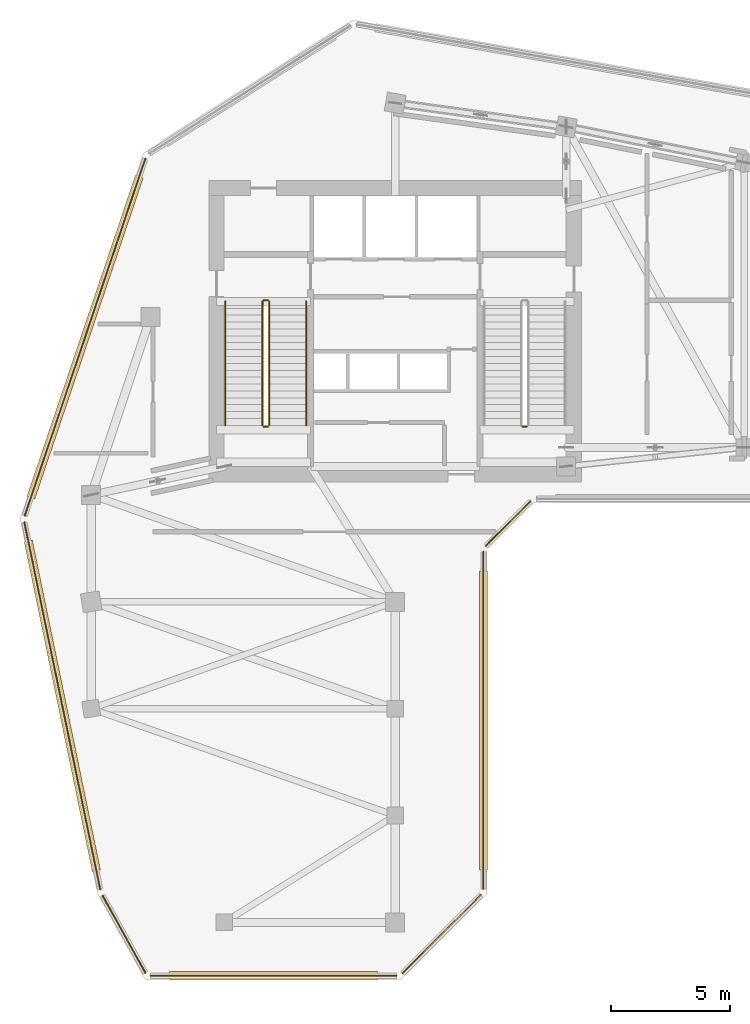
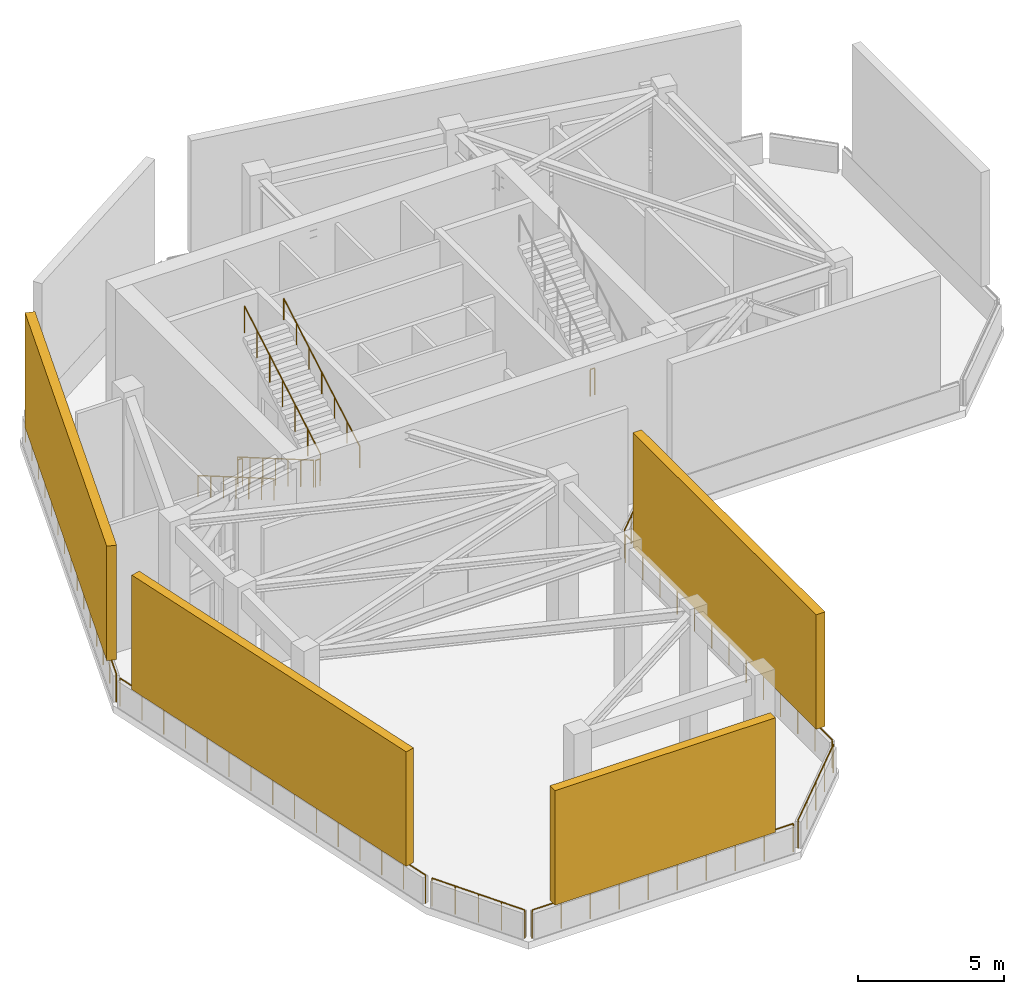
# One storey, part 8 of 10: 14 railings, 4 shading devices.
"""IFC4 building model written with IfcOpenShell, lengths in metres."""

from ifc_helpers import new_model, si_unit, direction, frame, frame_2d, origin, origin_2d, place, context, subcontext, project, spatial, rectangle, circle, extrude, material, type_object, element, save


model = new_model("IFC4")

# Units and contexts
model_context = context("Model", 3, precision=1e-05, world=origin(), true_north=direction((0.0, 1.0)))
body_context = subcontext(model_context, "Body", "Model", "MODEL_VIEW")
ifc_project = project(units=[si_unit("LENGTHUNIT", "METRE"), si_unit("AREAUNIT", "SQUARE_METRE"), si_unit("VOLUMEUNIT", "CUBIC_METRE"), si_unit("PLANEANGLEUNIT", "RADIAN"), si_unit("MASSUNIT", "GRAM", prefix="KILO")], contexts=[model_context])

# Site, building, storey
site_placement = place(None, origin())
site = spatial("IfcSite", under=ifc_project, at=site_placement, CompositionType="ELEMENT")
building_placement = place(site_placement, origin())
building = spatial("IfcBuilding", under=site, at=building_placement, Name="Calvemar Wedge Station Tower", CompositionType="ELEMENT")
storey_placement = place(building_placement, frame((0.0, 0.0, 242.89990234375)))
storey = spatial("IfcBuildingStorey", under=building, at=storey_placement, Name="L62", CompositionType="ELEMENT", Elevation=242.89990234375)

# Railings
ifc_material_1 = material(Name="Stainless steel AISI 316L", Category="steel")
railing_type_1 = type_object("IfcRailingType", Name="GRD-WIND-1200", PredefinedType="GUARDRAIL", material=ifc_material_1)
railing_1_placement = place(storey_placement, frame((11.47900390625, 16.12158203125, 0.0)))
element("IfcRailing", 1, at=railing_1_placement, inside=storey, type_object=railing_type_1, Name="Wind Floor L62 Perimeter Safety Guard 1", PredefinedType="GUARDRAIL", context=body_context, shape_type="SweptSolid", body=[
    extrude(circle(Radius=0.02392578125, at=origin_2d()), frame((0.0, 0.0, 1.17578125), z_axis=(0.48564852302, -0.87415416952, 0.0), x_axis=(0.87415416952, 0.48564852302, 0.0)), (0.0, 0.0, 1.0), 3.70703125),
    extrude(circle(Radius=0.02099609375, at=origin_2d()), origin(), (0.0, 0.0, 1.0), 1.15185546875),
    extrude(circle(Radius=0.02099609375, at=origin_2d()), frame((0.4501953125, -0.81005859375, 0.0)), (0.0, 0.0, 1.0), 1.15185546875),
    extrude(circle(Radius=0.02099609375, at=origin_2d()), frame((0.900146484375, -1.6201171875, 0.0)), (0.0, 0.0, 1.0), 1.15185546875),
    extrude(circle(Radius=0.02099609375, at=origin_2d()), frame((1.35009765625, -2.430419921875, 0.0)), (0.0, 0.0, 1.0), 1.15185546875),
    extrude(circle(Radius=0.02099609375, at=origin_2d()), frame((1.80029296875, -3.240478515625, 0.0)), (0.0, 0.0, 1.0), 1.15185546875),
])
railing_2_placement = place(storey_placement, frame((13.502197265625, 12.75, 0.0)))
element("IfcRailing", 2, at=railing_2_placement, inside=storey, type_object=railing_type_1, Name="Wind Floor L62 Perimeter Safety Guard 2", PredefinedType="GUARDRAIL", context=body_context, shape_type="SweptSolid", body=[
    extrude(circle(Radius=0.02392578125, at=origin_2d()), frame((0.0, 0.0, 1.17578125), z_axis=(1.0, 0.0, 0.0), x_axis=(0.0, 1.0, 0.0)), (0.0, 0.0, 1.0), 10.349609375),
    extrude(circle(Radius=0.02099609375, at=origin_2d()), origin(), (0.0, 0.0, 1.0), 1.15185546875),
    extrude(circle(Radius=0.02099609375, at=origin_2d()), frame((1.14990234375, 0.0, 0.0)), (0.0, 0.0, 1.0), 1.15185546875),
    extrude(circle(Radius=0.02099609375, at=origin_2d()), frame((2.2998046875, 0.0, 0.0)), (0.0, 0.0, 1.0), 1.15185546875),
    extrude(circle(Radius=0.02099609375, at=origin_2d()), frame((3.449951171875, 0.0, 0.0)), (0.0, 0.0, 1.0), 1.15185546875),
    extrude(circle(Radius=0.02099609375, at=origin_2d()), frame((4.599853515625, 0.0, 0.0)), (0.0, 0.0, 1.0), 1.15185546875),
    extrude(circle(Radius=0.02099609375, at=origin_2d()), frame((5.749755859375, 0.0, 0.0)), (0.0, 0.0, 1.0), 1.15185546875),
    extrude(circle(Radius=0.02099609375, at=origin_2d()), frame((6.899658203125, 0.0, 0.0)), (0.0, 0.0, 1.0), 1.15185546875),
    extrude(circle(Radius=0.02099609375, at=origin_2d()), frame((8.0498046875, 0.0, 0.0)), (0.0, 0.0, 1.0), 1.15185546875),
    extrude(circle(Radius=0.02099609375, at=origin_2d()), frame((9.19970703125, 0.0, 0.0)), (0.0, 0.0, 1.0), 1.15185546875),
    extrude(circle(Radius=0.02099609375, at=origin_2d()), frame((10.349609375, 0.0, 0.0)), (0.0, 0.0, 1.0), 1.15185546875),
])
railing_3_placement = place(storey_placement, frame((24.10791015625, 12.856201171875, 0.0)))
element("IfcRailing", 3, at=railing_3_placement, inside=storey, type_object=railing_type_1, Name="Wind Floor L62 Perimeter Safety Guard 3", PredefinedType="GUARDRAIL", context=body_context, shape_type="SweptSolid", body=[
    extrude(circle(Radius=0.02392578125, at=origin_2d()), frame((0.0, 0.0, 1.17578125), z_axis=(0.707132937873, 0.707080623533, 0.0), x_axis=(-0.707080623533, 0.707132937873, 0.0)), (0.0, 0.0, 1.0), 4.666748046875),
    extrude(circle(Radius=0.02099609375, at=origin_2d()), origin(), (0.0, 0.0, 1.0), 1.15185546875),
    extrude(circle(Radius=0.02099609375, at=origin_2d()), frame((0.824951171875, 0.824951171875, 0.0)), (0.0, 0.0, 1.0), 1.15185546875),
    extrude(circle(Radius=0.02099609375, at=origin_2d()), frame((1.64990234375, 1.64990234375, 0.0)), (0.0, 0.0, 1.0), 1.15185546875),
    extrude(circle(Radius=0.02099609375, at=origin_2d()), frame((2.47509765625, 2.474853515625, 0.0)), (0.0, 0.0, 1.0), 1.15185546875),
    extrude(circle(Radius=0.02099609375, at=origin_2d()), frame((3.300048828125, 3.2998046875, 0.0)), (0.0, 0.0, 1.0), 1.15185546875),
])
railing_4_placement = place(storey_placement, frame((27.513916015625, 16.412109375, 0.0)))
element("IfcRailing", 4, at=railing_4_placement, inside=storey, type_object=railing_type_1, Name="Wind Floor L62 Perimeter Safety Guard 4", PredefinedType="GUARDRAIL", context=body_context, shape_type="SweptSolid", body=[
    extrude(circle(Radius=0.02392578125, at=origin_2d()), frame((0.0, 0.0, 1.17578125), z_axis=(0.0, 1.0, 0.0), x_axis=(-1.0, 0.0, 0.0)), (0.0, 0.0, 1.0), 14.19189453125),
    extrude(circle(Radius=0.02099609375, at=origin_2d()), origin(), (0.0, 0.0, 1.0), 1.15185546875),
    extrude(circle(Radius=0.02099609375, at=origin_2d()), frame((0.0, 1.1826171875, 0.0)), (0.0, 0.0, 1.0), 1.15185546875),
    extrude(circle(Radius=0.02099609375, at=origin_2d()), frame((0.0, 2.365234375, 0.0)), (0.0, 0.0, 1.0), 1.15185546875),
    extrude(circle(Radius=0.02099609375, at=origin_2d()), frame((0.0, 3.5478515625, 0.0)), (0.0, 0.0, 1.0), 1.15185546875),
    extrude(circle(Radius=0.02099609375, at=origin_2d()), frame((0.0, 4.730712890625, 0.0)), (0.0, 0.0, 1.0), 1.15185546875),
    extrude(circle(Radius=0.02099609375, at=origin_2d()), frame((0.0, 5.913330078125, 0.0)), (0.0, 0.0, 1.0), 1.15185546875),
    extrude(circle(Radius=0.02099609375, at=origin_2d()), frame((0.0, 7.095947265625, 0.0)), (0.0, 0.0, 1.0), 1.15185546875),
    extrude(circle(Radius=0.02099609375, at=origin_2d()), frame((0.0, 8.278564453125, 0.0)), (0.0, 0.0, 1.0), 1.15185546875),
    extrude(circle(Radius=0.02099609375, at=origin_2d()), frame((0.0, 9.461181640625, 0.0)), (0.0, 0.0, 1.0), 1.15185546875),
    extrude(circle(Radius=0.02099609375, at=origin_2d()), frame((0.0, 10.64404296875, 0.0)), (0.0, 0.0, 1.0), 1.15185546875),
    extrude(circle(Radius=0.02099609375, at=origin_2d()), frame((0.0, 11.82666015625, 0.0)), (0.0, 0.0, 1.0), 1.15185546875),
    extrude(circle(Radius=0.02099609375, at=origin_2d()), frame((0.0, 13.00927734375, 0.0)), (0.0, 0.0, 1.0), 1.15185546875),
    extrude(circle(Radius=0.02099609375, at=origin_2d()), frame((0.0, 14.19189453125, 0.0)), (0.0, 0.0, 1.0), 1.15185546875),
])
railing_5_placement = place(storey_placement, frame((27.6201171875, 30.860107421875, 0.0)))
element("IfcRailing", 5, at=railing_5_placement, inside=storey, type_object=railing_type_1, Name="Wind Floor L62 Perimeter Safety Guard 5", PredefinedType="GUARDRAIL", context=body_context, shape_type="SweptSolid", body=[
    extrude(circle(Radius=0.02392578125, at=origin_2d()), frame((0.0, 0.0, 1.17578125), z_axis=(0.707106781187, 0.707106781187, 0.0), x_axis=(-0.707106781187, 0.707106781187, 0.0)), (0.0, 0.0, 1.0), 2.652587890625),
    extrude(circle(Radius=0.02099609375, at=origin_2d()), origin(), (0.0, 0.0, 1.0), 1.15185546875),
    extrude(circle(Radius=0.02099609375, at=origin_2d()), frame((0.625244140625, 0.625244140625, 0.0)), (0.0, 0.0, 1.0), 1.15185546875),
    extrude(circle(Radius=0.02099609375, at=origin_2d()), frame((1.25048828125, 1.25048828125, 0.0)), (0.0, 0.0, 1.0), 1.15185546875),
    extrude(circle(Radius=0.02099609375, at=origin_2d()), frame((1.875732421875, 1.875732421875, 0.0)), (0.0, 0.0, 1.0), 1.15185546875),
])
railing_6_placement = place(storey_placement, frame((13.277099609375, 47.15966796875, 0.0)))
element("IfcRailing", 6, at=railing_6_placement, inside=storey, type_object=railing_type_1, Name="Wind Floor L62 Perimeter Safety Guard 12", PredefinedType="GUARDRAIL", context=body_context, shape_type="SweptSolid", body=[
    extrude(circle(Radius=0.02392578125, at=origin_2d()), frame((0.0, 0.0, 1.17578125), z_axis=(-0.319910438234, -0.947447788276, 0.0), x_axis=(0.947447788276, -0.319910438234, 0.0)), (0.0, 0.0, 1.0), 15.860595703125),
    extrude(circle(Radius=0.02099609375, at=origin_2d()), origin(), (0.0, 0.0, 1.0), 1.15185546875),
    extrude(circle(Radius=0.02099609375, at=origin_2d()), frame((-0.3623046875, -1.0732421875, 0.0)), (0.0, 0.0, 1.0), 1.15185546875),
    extrude(circle(Radius=0.02099609375, at=origin_2d()), frame((-0.724853515625, -2.146728515625, 0.0)), (0.0, 0.0, 1.0), 1.15185546875),
    extrude(circle(Radius=0.02099609375, at=origin_2d()), frame((-1.08740234375, -3.22021484375, 0.0)), (0.0, 0.0, 1.0), 1.15185546875),
    extrude(circle(Radius=0.02099609375, at=origin_2d()), frame((-1.44970703125, -4.29345703125, 0.0)), (0.0, 0.0, 1.0), 1.15185546875),
    extrude(circle(Radius=0.02099609375, at=origin_2d()), frame((-1.81201171875, -5.36669921875, 0.0)), (0.0, 0.0, 1.0), 1.15185546875),
    extrude(circle(Radius=0.02099609375, at=origin_2d()), frame((-2.174560546875, -6.440185546875, 0.0)), (0.0, 0.0, 1.0), 1.15185546875),
    extrude(circle(Radius=0.02099609375, at=origin_2d()), frame((-2.537109375, -7.513671875, 0.0)), (0.0, 0.0, 1.0), 1.15185546875),
    extrude(circle(Radius=0.02099609375, at=origin_2d()), frame((-2.8994140625, -8.5869140625, 0.0)), (0.0, 0.0, 1.0), 1.15185546875),
    extrude(circle(Radius=0.02099609375, at=origin_2d()), frame((-3.261962890625, -9.66015625, 0.0)), (0.0, 0.0, 1.0), 1.15185546875),
    extrude(circle(Radius=0.02099609375, at=origin_2d()), frame((-3.624267578125, -10.733642578125, 0.0)), (0.0, 0.0, 1.0), 1.15185546875),
    extrude(circle(Radius=0.02099609375, at=origin_2d()), frame((-3.98681640625, -11.80712890625, 0.0)), (0.0, 0.0, 1.0), 1.15185546875),
    extrude(circle(Radius=0.02099609375, at=origin_2d()), frame((-4.34912109375, -12.88037109375, 0.0)), (0.0, 0.0, 1.0), 1.15185546875),
    extrude(circle(Radius=0.02099609375, at=origin_2d()), frame((-4.71142578125, -13.95361328125, 0.0)), (0.0, 0.0, 1.0), 1.15185546875),
    extrude(circle(Radius=0.02099609375, at=origin_2d()), frame((-5.073974609375, -15.027099609375, 0.0)), (0.0, 0.0, 1.0), 1.15185546875),
])
railing_7_placement = place(storey_placement, frame((8.185546875, 31.843505859375, 0.0)))
element("IfcRailing", 7, at=railing_7_placement, inside=storey, type_object=railing_type_1, Name="Wind Floor L62 Perimeter Safety Guard 13", PredefinedType="GUARDRAIL", context=body_context, shape_type="SweptSolid", body=[
    extrude(circle(Radius=0.02392578125, at=origin_2d()), frame((0.0, 0.0, 1.17578125), z_axis=(0.202310724798, -0.979321382709, 0.0), x_axis=(0.979321382709, 0.202310724798, 0.0)), (0.0, 0.0, 1.0), 15.77001953125),
    extrude(circle(Radius=0.02099609375, at=origin_2d()), origin(), (0.0, 0.0, 1.0), 1.15185546875),
    extrude(circle(Radius=0.02099609375, at=origin_2d()), frame((0.227783203125, -1.10302734375, 0.0)), (0.0, 0.0, 1.0), 1.15185546875),
    extrude(circle(Radius=0.02099609375, at=origin_2d()), frame((0.455810546875, -2.206298828125, 0.0)), (0.0, 0.0, 1.0), 1.15185546875),
    extrude(circle(Radius=0.02099609375, at=origin_2d()), frame((0.68359375, -3.309326171875, 0.0)), (0.0, 0.0, 1.0), 1.15185546875),
    extrude(circle(Radius=0.02099609375, at=origin_2d()), frame((0.91162109375, -4.41259765625, 0.0)), (0.0, 0.0, 1.0), 1.15185546875),
    extrude(circle(Radius=0.02099609375, at=origin_2d()), frame((1.139404296875, -5.515625, 0.0)), (0.0, 0.0, 1.0), 1.15185546875),
    extrude(circle(Radius=0.02099609375, at=origin_2d()), frame((1.367431640625, -6.618896484375, 0.0)), (0.0, 0.0, 1.0), 1.15185546875),
    extrude(circle(Radius=0.02099609375, at=origin_2d()), frame((1.59521484375, -7.721923828125, 0.0)), (0.0, 0.0, 1.0), 1.15185546875),
    extrude(circle(Radius=0.02099609375, at=origin_2d()), frame((1.822998046875, -8.824951171875, 0.0)), (0.0, 0.0, 1.0), 1.15185546875),
    extrude(circle(Radius=0.02099609375, at=origin_2d()), frame((2.051025390625, -9.92822265625, 0.0)), (0.0, 0.0, 1.0), 1.15185546875),
    extrude(circle(Radius=0.02099609375, at=origin_2d()), frame((2.27880859375, -11.03125, 0.0)), (0.0, 0.0, 1.0), 1.15185546875),
    extrude(circle(Radius=0.02099609375, at=origin_2d()), frame((2.5068359375, -12.134521484375, 0.0)), (0.0, 0.0, 1.0), 1.15185546875),
    extrude(circle(Radius=0.02099609375, at=origin_2d()), frame((2.734619140625, -13.237548828125, 0.0)), (0.0, 0.0, 1.0), 1.15185546875),
    extrude(circle(Radius=0.02099609375, at=origin_2d()), frame((2.962646484375, -14.3408203125, 0.0)), (0.0, 0.0, 1.0), 1.15185546875),
    extrude(circle(Radius=0.02099609375, at=origin_2d()), frame((3.1904296875, -15.44384765625, 0.0)), (0.0, 0.0, 1.0), 1.15185546875),
])
railing_type_2 = type_object("IfcRailingType", Name="RL-HANDRAIL-920", PredefinedType="HANDRAIL", material=ifc_material_1)
railing_8_placement = place(storey_placement, frame((16.64990234375, 41.14990234375, 0.16845703125)))
element("IfcRailing", 8, at=railing_8_placement, inside=storey, type_object=railing_type_2, Name="L62 ST-C1 stair handrail 1", PredefinedType="HANDRAIL", context=body_context, shape_type="SweptSolid", body=[
    extrude(circle(Radius=0.02392578125, at=origin_2d()), frame((0.0, 0.0, 0.89599609375), z_axis=(0.0, -0.864732288089, 0.502233083275), x_axis=(1.0, 0.0, 0.0)), (0.0, 0.0, 1.0), 6.03662109375),
    extrude(circle(Radius=0.02099609375, at=origin_2d()), origin(), (0.0, 0.0, 1.0), 0.871826171875),
    extrude(circle(Radius=0.02099609375, at=origin_2d()), frame((0.0, -0.8701171875, 0.50537109375)), (0.0, 0.0, 1.0), 0.871826171875),
    extrude(circle(Radius=0.02099609375, at=origin_2d()), frame((0.0, -1.739990234375, 1.010498046875)), (0.0, 0.0, 1.0), 0.871826171875),
    extrude(circle(Radius=0.02099609375, at=origin_2d()), frame((0.0, -2.60986328125, 1.515869140625)), (0.0, 0.0, 1.0), 0.871826171875),
    extrude(circle(Radius=0.02099609375, at=origin_2d()), frame((0.0, -3.47998046875, 2.021240234375)), (0.0, 0.0, 1.0), 0.871826171875),
    extrude(circle(Radius=0.02099609375, at=origin_2d()), frame((0.0, -4.35009765625, 2.5263671875)), (0.0, 0.0, 1.0), 0.871826171875),
    extrude(circle(Radius=0.02099609375, at=origin_2d()), frame((0.0, -5.219970703125, 3.03173828125)), (0.0, 0.0, 1.0), 0.871826171875),
])
railing_9_placement = place(storey_placement, frame((20.050048828125, 35.929931640625, 3.368408203125)))
element("IfcRailing", 9, at=railing_9_placement, inside=storey, type_object=railing_type_2, Name="L62 ST-C1 stair handrail 2", PredefinedType="HANDRAIL", context=body_context, shape_type="SweptSolid", body=[
    extrude(circle(Radius=0.02392578125, at=origin_2d()), frame((0.0, 0.0, 0.89599609375), z_axis=(0.0, 0.864732288089, 0.502233083275), x_axis=(-1.0, 0.0, 0.0)), (0.0, 0.0, 1.0), 6.03662109375),
    extrude(circle(Radius=0.02099609375, at=origin_2d()), origin(), (0.0, 0.0, 1.0), 0.871826171875),
    extrude(circle(Radius=0.02099609375, at=origin_2d()), frame((0.0, 0.8701171875, 0.50537109375)), (0.0, 0.0, 1.0), 0.871826171875),
    extrude(circle(Radius=0.02099609375, at=origin_2d()), frame((0.0, 1.739990234375, 1.010498046875)), (0.0, 0.0, 1.0), 0.871826171875),
    extrude(circle(Radius=0.02099609375, at=origin_2d()), frame((0.0, 2.60986328125, 1.515869140625)), (0.0, 0.0, 1.0), 0.871826171875),
    extrude(circle(Radius=0.02099609375, at=origin_2d()), frame((0.0, 3.47998046875, 2.021240234375)), (0.0, 0.0, 1.0), 0.871826171875),
    extrude(circle(Radius=0.02099609375, at=origin_2d()), frame((0.0, 4.35009765625, 2.5263671875)), (0.0, 0.0, 1.0), 0.871826171875),
    extrude(circle(Radius=0.02099609375, at=origin_2d()), frame((0.0, 5.219970703125, 3.03173828125)), (0.0, 0.0, 1.0), 0.871826171875),
])
ifc_material_2 = material(Name="Painted steel guardrail ASTM A500 Grade C", Category="steel")
railing_type_3 = type_object("IfcRailingType", Name="RL-STAIR-GUARD-1150", PredefinedType="GUARDRAIL", material=ifc_material_2)
railing_10_placement = place(storey_placement, frame((18.2099609375, 41.14990234375, 0.16845703125)))
element("IfcRailing", 10, at=railing_10_placement, inside=storey, type_object=railing_type_3, Name="L62 ST-C1 stair guard 1", PredefinedType="GUARDRAIL", context=body_context, shape_type="SweptSolid", body=[
    extrude(circle(Radius=0.02392578125, at=origin_2d()), frame((0.0, 0.0, 1.1259765625), z_axis=(0.0, -0.864732288089, 0.502233083275), x_axis=(1.0, 0.0, 0.0)), (0.0, 0.0, 1.0), 6.03662109375),
    extrude(circle(Radius=0.02099609375, at=origin_2d()), origin(), (0.0, 0.0, 1.0), 1.101806640625),
    extrude(circle(Radius=0.02099609375, at=origin_2d()), frame((0.0, -0.8701171875, 0.50537109375)), (0.0, 0.0, 1.0), 1.101806640625),
    extrude(circle(Radius=0.02099609375, at=origin_2d()), frame((0.0, -1.739990234375, 1.010498046875)), (0.0, 0.0, 1.0), 1.101806640625),
    extrude(circle(Radius=0.02099609375, at=origin_2d()), frame((0.0, -2.60986328125, 1.515869140625)), (0.0, 0.0, 1.0), 1.101806640625),
    extrude(circle(Radius=0.02099609375, at=origin_2d()), frame((0.0, -3.47998046875, 2.021240234375)), (0.0, 0.0, 1.0), 1.101806640625),
    extrude(circle(Radius=0.02099609375, at=origin_2d()), frame((0.0, -4.35009765625, 2.5263671875)), (0.0, 0.0, 1.0), 1.101806640625),
    extrude(circle(Radius=0.02099609375, at=origin_2d()), frame((0.0, -5.219970703125, 3.03173828125)), (0.0, 0.0, 1.0), 1.101806640625),
])
railing_11_placement = place(storey_placement, frame((18.260009765625, 35.8798828125, 3.2001953125)))
element("IfcRailing", 11, at=railing_11_placement, inside=storey, type_object=railing_type_3, Name="L62 ST-C1 stair guard 2", PredefinedType="GUARDRAIL", context=body_context, shape_type="SweptSolid", body=[
    extrude(circle(Radius=0.02392578125, at=origin_2d()), frame((0.0, 0.0, 1.1259765625), z_axis=(1.0, 0.0, 0.0), x_axis=(0.0, 1.0, 0.0)), (0.0, 0.0, 1.0), 0.179931640625),
    extrude(circle(Radius=0.02099609375, at=origin_2d()), origin(), (0.0, 0.0, 1.0), 1.101806640625),
    extrude(circle(Radius=0.02099609375, at=origin_2d()), frame((0.179931640625, 0.0, 0.0)), (0.0, 0.0, 1.0), 1.101806640625),
])
railing_12_placement = place(storey_placement, frame((18.489990234375, 35.929931640625, 3.368408203125)))
element("IfcRailing", 12, at=railing_12_placement, inside=storey, type_object=railing_type_3, Name="L62 ST-C1 stair guard 3", PredefinedType="GUARDRAIL", context=body_context, shape_type="SweptSolid", body=[
    extrude(circle(Radius=0.02392578125, at=origin_2d()), frame((0.0, 0.0, 1.1259765625), z_axis=(0.0, 0.864732288089, 0.502233083275), x_axis=(-1.0, 0.0, 0.0)), (0.0, 0.0, 1.0), 6.03662109375),
    extrude(circle(Radius=0.02099609375, at=origin_2d()), origin(), (0.0, 0.0, 1.0), 1.101806640625),
    extrude(circle(Radius=0.02099609375, at=origin_2d()), frame((0.0, 0.8701171875, 0.50537109375)), (0.0, 0.0, 1.0), 1.101806640625),
    extrude(circle(Radius=0.02099609375, at=origin_2d()), frame((0.0, 1.739990234375, 1.010498046875)), (0.0, 0.0, 1.0), 1.101806640625),
    extrude(circle(Radius=0.02099609375, at=origin_2d()), frame((0.0, 2.60986328125, 1.515869140625)), (0.0, 0.0, 1.0), 1.101806640625),
    extrude(circle(Radius=0.02099609375, at=origin_2d()), frame((0.0, 3.47998046875, 2.021240234375)), (0.0, 0.0, 1.0), 1.101806640625),
    extrude(circle(Radius=0.02099609375, at=origin_2d()), frame((0.0, 4.35009765625, 2.5263671875)), (0.0, 0.0, 1.0), 1.101806640625),
    extrude(circle(Radius=0.02099609375, at=origin_2d()), frame((0.0, 5.219970703125, 3.03173828125)), (0.0, 0.0, 1.0), 1.101806640625),
])
railing_13_placement = place(storey_placement, frame((18.260009765625, 41.199951171875, 0.0)))
element("IfcRailing", 13, at=railing_13_placement, inside=storey, type_object=railing_type_3, Name="L62 ST-C1 stair guard 4", PredefinedType="GUARDRAIL", context=body_context, shape_type="SweptSolid", body=[
    extrude(circle(Radius=0.02392578125, at=origin_2d()), frame((0.0, 0.0, 1.1259765625), z_axis=(1.0, 0.0, 0.0), x_axis=(0.0, 1.0, 0.0)), (0.0, 0.0, 1.0), 0.179931640625),
    extrude(circle(Radius=0.02099609375, at=origin_2d()), origin(), (0.0, 0.0, 1.0), 1.101806640625),
    extrude(circle(Radius=0.02099609375, at=origin_2d()), frame((0.179931640625, 0.0, 0.0)), (0.0, 0.0, 1.0), 1.101806640625),
])
railing_14_placement = place(storey_placement, frame((29.159912109375, 35.8798828125, 3.2001953125)))
element("IfcRailing", 14, at=railing_14_placement, inside=storey, type_object=railing_type_3, Name="L62 ST-C2 stair guard 2", PredefinedType="GUARDRAIL", context=body_context, shape_type="SweptSolid", body=[
    extrude(circle(Radius=0.02392578125, at=origin_2d()), frame((0.0, 0.0, 1.1259765625), z_axis=(1.0, 0.0, 0.0), x_axis=(0.0, 1.0, 0.0)), (0.0, 0.0, 1.0), 0.18017578125),
    extrude(circle(Radius=0.02099609375, at=origin_2d()), origin(), (0.0, 0.0, 1.0), 1.101806640625),
    extrude(circle(Radius=0.02099609375, at=origin_2d()), frame((0.18017578125, 0.0, 0.0)), (0.0, 0.0, 1.0), 1.101806640625),
])

# Shading devices
ifc_material_3 = material(Name="Anodised aluminium 6063-T6", Category="aluminium")
shading_device_type = type_object("IfcShadingDeviceType", Name="SHD-LOUVRE-1", PredefinedType="JALOUSIE", material=ifc_material_3)
shading_device_1_placement = place(storey_placement, frame((14.30224609375, 12.75, 1.2001953125), z_axis=(0.0, 0.0, 1.0), x_axis=(1.0, 0.0, 0.0)))
element("IfcShadingDevice", 15, at=shading_device_1_placement, inside=storey, type_object=shading_device_type, Name="Wind Floor L62 Jalousie Intake Louvre 2", PredefinedType="JALOUSIE", context=body_context, shape_type="SweptSolid", body=[
    extrude(rectangle(XDim=8.749755859375, YDim=0.35009765625, at=frame_2d((4.375, 0.0))), origin(), (0.0, 0.0, 1.0), 4.7998046875),
])
shading_device_2_placement = place(storey_placement, frame((27.513916015625, 17.212158203125, 1.2001953125), z_axis=(0.0, 0.0, 1.0), x_axis=(0.0, 1.0, 0.0)))
element("IfcShadingDevice", 16, at=shading_device_2_placement, inside=storey, type_object=shading_device_type, Name="Wind Floor L62 Jalousie Intake Louvre 4", PredefinedType="JALOUSIE", context=body_context, shape_type="SweptSolid", body=[
    extrude(rectangle(XDim=12.592041015625, YDim=0.35009765625, at=frame_2d((6.2958984375, 0.0))), origin(), (0.0, 0.0, 1.0), 4.7998046875),
])
shading_device_3_placement = place(storey_placement, frame((13.021240234375, 46.401611328125, 1.2001953125), z_axis=(0.0, 0.0, 1.0), x_axis=(-0.319923305154, -0.947443443599, 0.0)))
element("IfcShadingDevice", 17, at=shading_device_3_placement, inside=storey, type_object=shading_device_type, Name="Wind Floor L62 Jalousie Intake Louvre 12", PredefinedType="JALOUSIE", context=body_context, shape_type="SweptSolid", body=[
    extrude(rectangle(XDim=14.260498046875, YDim=0.35009765625, at=frame_2d((7.13037109375, 0.0))), origin(), (0.0, 0.0, 1.0), 4.7998046875),
])
shading_device_4_placement = place(storey_placement, frame((8.347412109375, 31.06005859375, 1.2001953125), z_axis=(0.0, 0.0, 1.0), x_axis=(0.202308195142, -0.979321905289, 0.0)))
element("IfcShadingDevice", 18, at=shading_device_4_placement, inside=storey, type_object=shading_device_type, Name="Wind Floor L62 Jalousie Intake Louvre 13", PredefinedType="JALOUSIE", context=body_context, shape_type="SweptSolid", body=[
    extrude(rectangle(XDim=14.169921875, YDim=0.35009765625, at=frame_2d((7.0849609375, 0.0))), origin(), (0.0, 0.0, 1.0), 4.7998046875),
])

save(model, "model.ifc")
